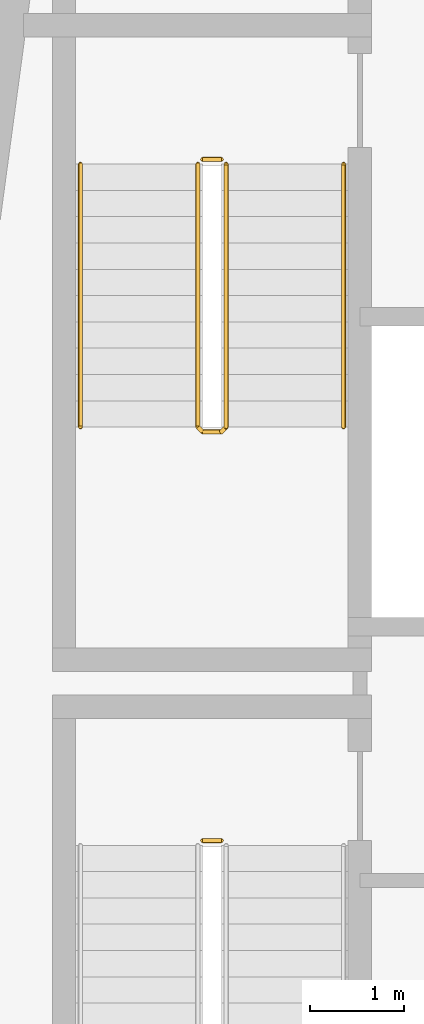
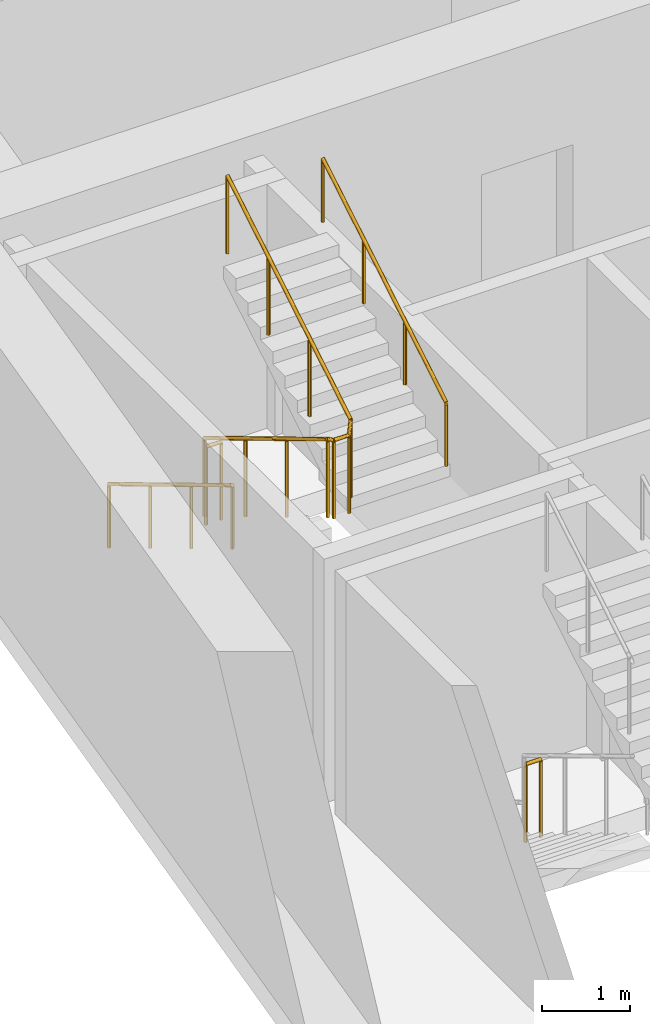
# One storey, part 9 of 12: 5 railings.
"""IFC4 building model written with IfcOpenShell, lengths in metres."""

from ifc_helpers import new_model, si_unit, direction, frame, origin, origin_2d, place, context, subcontext, project, spatial, circle, extrude, material, type_object, element, save


model = new_model("IFC4")

# Units and contexts
model_context = context("Model", 3, precision=1e-05, world=origin(), true_north=direction((0.0, 1.0)))
body_context = subcontext(model_context, "Body", "Model", "MODEL_VIEW")
ifc_project = project(units=[si_unit("LENGTHUNIT", "METRE"), si_unit("AREAUNIT", "SQUARE_METRE"), si_unit("VOLUMEUNIT", "CUBIC_METRE"), si_unit("PLANEANGLEUNIT", "RADIAN"), si_unit("MASSUNIT", "GRAM", prefix="KILO")], contexts=[model_context])

# Site, building, storey
site_placement = place(None, origin())
site = spatial("IfcSite", under=ifc_project, at=site_placement, CompositionType="ELEMENT")
building_placement = place(site_placement, origin())
building = spatial("IfcBuilding", under=site, at=building_placement, Name="Candeia Pilgrim Tower and Theatre", CompositionType="ELEMENT")
storey_placement = place(building_placement, frame((0.0, 0.0, 213.300048828125)))
storey = spatial("IfcBuildingStorey", under=building, at=storey_placement, Name="L51", CompositionType="ELEMENT", Elevation=213.300048828125)

# Railings
ifc_material_1 = material(Name="Stainless steel balustrade", Category="steel")
railing_type_1 = type_object("IfcRailingType", Name="RL-GUARD-1100", PredefinedType="GUARDRAIL", material=ifc_material_1)
railing_1_placement = place(storey_placement, frame((91.152099609375, 122.52490234375, 0.0)))
element("IfcRailing", 1, at=railing_1_placement, inside=storey, type_object=railing_type_1, Name="L51 ST1 stair guard 2", PredefinedType="GUARDRAIL", context=body_context, shape_type="SweptSolid", body=[
    extrude(circle(Radius=0.02392578125, at=origin_2d()), frame((0.0, 0.0, 1.076171875), z_axis=(1.0, 0.0, 0.0), x_axis=(0.0, 1.0, 0.0)), (0.0, 0.0, 1.0), 0.199951171875),
    extrude(circle(Radius=0.02099609375, at=origin_2d()), origin(), (0.0, 0.0, 1.0), 1.052001953125),
    extrude(circle(Radius=0.02099609375, at=origin_2d()), frame((0.199951171875, 0.0, 0.0)), (0.0, 0.0, 1.0), 1.052001953125),
])
railing_2_placement = place(storey_placement, frame((91.10205078125, 129.72509765625, 0.168212890625)))
element("IfcRailing", 2, at=railing_2_placement, inside=storey, type_object=railing_type_1, Name="L51 ST2 stair guard 1", PredefinedType="GUARDRAIL", context=body_context, shape_type="SweptSolid", body=[
    extrude(circle(Radius=0.02392578125, at=origin_2d()), frame((0.0, 0.0, 1.076171875), z_axis=(0.0, -0.857275202839, 0.514858452973), x_axis=(1.0, 0.0, 0.0)), (0.0, 0.0, 1.0), 3.26611328125),
    extrude(circle(Radius=0.02392578125, at=origin_2d()), frame((0.0, -2.800048828125, 2.7578125), z_axis=(0.707106781187, -0.707106781187, 0.0), x_axis=(0.707106781187, 0.707106781187, 0.0)), (0.0, 0.0, 1.0), 0.07080078125),
    extrude(circle(Radius=0.02392578125, at=origin_2d()), frame((0.050048828125, -2.85009765625, 2.7578125), z_axis=(1.0, 0.0, 0.0), x_axis=(0.0, 1.0, 0.0)), (0.0, 0.0, 1.0), 0.199951171875),
    extrude(circle(Radius=0.02392578125, at=origin_2d()), frame((0.25, -2.85009765625, 2.7578125), z_axis=(0.274243871929, 0.274243871929, 0.92172696468), x_axis=(-0.707106781187, 0.707106781187, 0.0)), (0.0, 0.0, 1.0), 0.1826171875),
    extrude(circle(Radius=0.02392578125, at=origin_2d()), frame((0.300048828125, -2.800048828125, 2.92578125), z_axis=(0.0, 0.857242210791, 0.514913383045), x_axis=(-1.0, 0.0, 0.0)), (0.0, 0.0, 1.0), 3.266357421875),
    extrude(circle(Radius=0.02099609375, at=origin_2d()), origin(), (0.0, 0.0, 1.0), 1.052001953125),
    extrude(circle(Radius=0.02099609375, at=origin_2d()), frame((0.0, -0.933349609375, 0.560546875)), (0.0, 0.0, 1.0), 1.052001953125),
    extrude(circle(Radius=0.02099609375, at=origin_2d()), frame((0.0, -1.86669921875, 1.12109375)), (0.0, 0.0, 1.0), 1.052001953125),
    extrude(circle(Radius=0.02099609375, at=origin_2d()), frame((0.0, -2.800048828125, 1.681640625)), (0.0, 0.0, 1.0), 1.052001953125),
    extrude(circle(Radius=0.02099609375, at=origin_2d()), frame((0.050048828125, -2.85009765625, 1.681640625)), (0.0, 0.0, 1.0), 1.052001953125),
    extrude(circle(Radius=0.02099609375, at=origin_2d()), frame((0.25, -2.85009765625, 1.681640625)), (0.0, 0.0, 1.0), 1.052001953125),
    extrude(circle(Radius=0.02099609375, at=origin_2d()), frame((0.300048828125, -2.800048828125, 1.849853515625)), (0.0, 0.0, 1.0), 1.052001953125),
    extrude(circle(Radius=0.02099609375, at=origin_2d()), frame((0.300048828125, -1.86669921875, 2.410400390625)), (0.0, 0.0, 1.0), 1.052001953125),
    extrude(circle(Radius=0.02099609375, at=origin_2d()), frame((0.300048828125, -0.933349609375, 2.97119140625)), (0.0, 0.0, 1.0), 1.052001953125),
    extrude(circle(Radius=0.02099609375, at=origin_2d()), frame((0.300048828125, 0.0, 3.53173828125)), (0.0, 0.0, 1.0), 1.052001953125),
])
railing_3_placement = place(storey_placement, frame((91.152099609375, 129.77490234375, 0.0)))
element("IfcRailing", 3, at=railing_3_placement, inside=storey, type_object=railing_type_1, Name="L51 ST2 stair guard 2", PredefinedType="GUARDRAIL", context=body_context, shape_type="SweptSolid", body=[
    extrude(circle(Radius=0.02392578125, at=origin_2d()), frame((0.0, 0.0, 1.076171875), z_axis=(1.0, 0.0, 0.0), x_axis=(0.0, 1.0, 0.0)), (0.0, 0.0, 1.0), 0.199951171875),
    extrude(circle(Radius=0.02099609375, at=origin_2d()), origin(), (0.0, 0.0, 1.0), 1.052001953125),
    extrude(circle(Radius=0.02099609375, at=origin_2d()), frame((0.199951171875, 0.0, 0.0)), (0.0, 0.0, 1.0), 1.052001953125),
])
ifc_material_2 = material(Name="Stainless steel handrail", Category="steel")
railing_type_2 = type_object("IfcRailingType", Name="RL-HANDRAIL-900", PredefinedType="HANDRAIL", material=ifc_material_2)
railing_4_placement = place(storey_placement, frame((89.85205078125, 129.72509765625, 0.168212890625)))
element("IfcRailing", 4, at=railing_4_placement, inside=storey, type_object=railing_type_2, Name="L51 ST2 stair handrail 1", PredefinedType="HANDRAIL", context=body_context, shape_type="SweptSolid", body=[
    extrude(circle(Radius=0.02392578125, at=origin_2d()), frame((0.0, 0.0, 0.8759765625), z_axis=(0.0, -0.857275202839, 0.514858452973), x_axis=(1.0, 0.0, 0.0)), (0.0, 0.0, 1.0), 3.26611328125),
    extrude(circle(Radius=0.02099609375, at=origin_2d()), origin(), (0.0, 0.0, 1.0), 0.851806640625),
    extrude(circle(Radius=0.02099609375, at=origin_2d()), frame((0.0, -0.933349609375, 0.560546875)), (0.0, 0.0, 1.0), 0.851806640625),
    extrude(circle(Radius=0.02099609375, at=origin_2d()), frame((0.0, -1.86669921875, 1.12109375)), (0.0, 0.0, 1.0), 0.851806640625),
    extrude(circle(Radius=0.02099609375, at=origin_2d()), frame((0.0, -2.800048828125, 1.681640625)), (0.0, 0.0, 1.0), 0.851806640625),
])
railing_5_placement = place(storey_placement, frame((92.652099609375, 126.925048828125, 2.01806640625)))
element("IfcRailing", 5, at=railing_5_placement, inside=storey, type_object=railing_type_2, Name="L51 ST2 stair handrail 2", PredefinedType="HANDRAIL", context=body_context, shape_type="SweptSolid", body=[
    extrude(circle(Radius=0.02392578125, at=origin_2d()), frame((0.0, 0.0, 0.8759765625), z_axis=(0.0, 0.857242210791, 0.514913383045), x_axis=(-1.0, 0.0, 0.0)), (0.0, 0.0, 1.0), 3.266357421875),
    extrude(circle(Radius=0.02099609375, at=origin_2d()), origin(), (0.0, 0.0, 1.0), 0.851806640625),
    extrude(circle(Radius=0.02099609375, at=origin_2d()), frame((0.0, 0.933349609375, 0.560546875)), (0.0, 0.0, 1.0), 0.851806640625),
    extrude(circle(Radius=0.02099609375, at=origin_2d()), frame((0.0, 1.86669921875, 1.121337890625)), (0.0, 0.0, 1.0), 0.851806640625),
    extrude(circle(Radius=0.02099609375, at=origin_2d()), frame((0.0, 2.800048828125, 1.681884765625)), (0.0, 0.0, 1.0), 0.851806640625),
])

save(model, "model.ifc")
